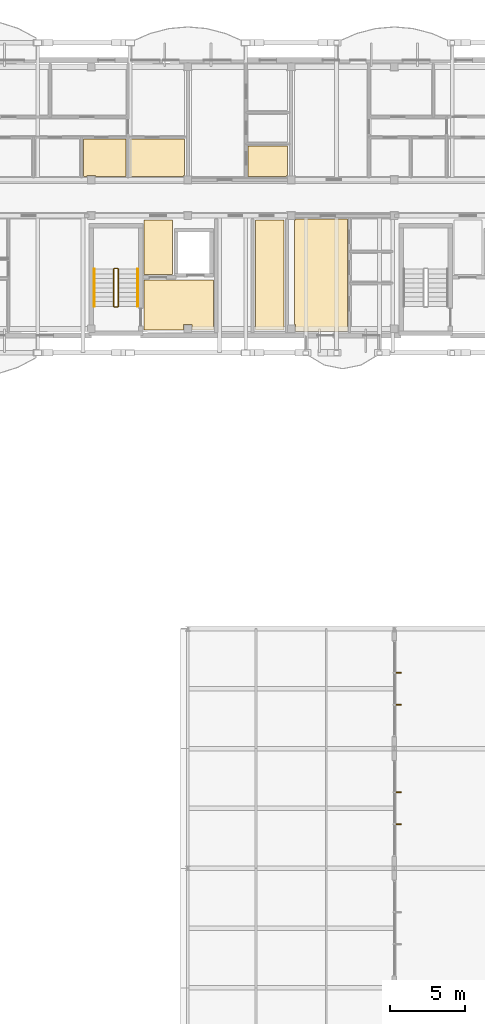
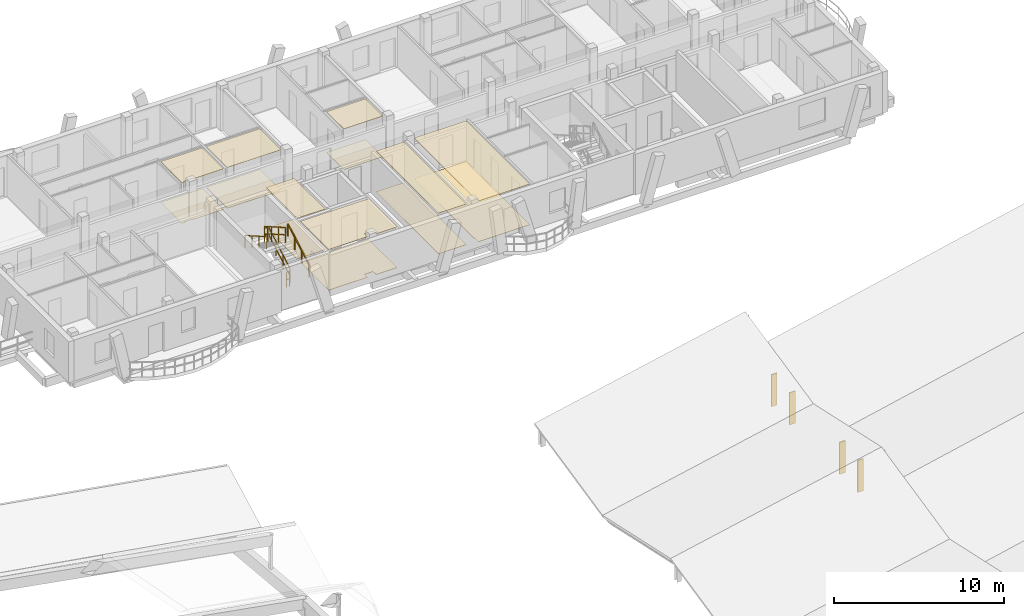
# One storey, part 105 of 109: 14 coverings, 6 railings, 4 shading devices.
"""IFC4 building model written with IfcOpenShell, lengths in metres."""

from ifc_helpers import new_model, si_unit, direction, frame, origin, origin_2d, place, context, subcontext, project, spatial, polyline, rectangle, outline, extrude, material, layer, layer_set, type_object, element, save


model = new_model("IFC4")

# Units and contexts
model_context = context("Model", 3, precision=1e-05, world=origin(), true_north=direction((0.0, 1.0)))
body_context = subcontext(model_context, "Body", "Model", "MODEL_VIEW")
ifc_project = project(units=[si_unit("LENGTHUNIT", "METRE"), si_unit("AREAUNIT", "SQUARE_METRE"), si_unit("VOLUMEUNIT", "CUBIC_METRE"), si_unit("PLANEANGLEUNIT", "RADIAN"), si_unit("MASSUNIT", "GRAM", prefix="KILO")], contexts=[model_context])

# Site, building, storey
site_placement = place(None, origin())
site = spatial("IfcSite", under=ifc_project, at=site_placement, CompositionType="ELEMENT")
building_placement = place(site_placement, origin())
building = spatial("IfcBuilding", under=site, at=building_placement, Name="Zavelmont Quarter", CompositionType="ELEMENT")
storey_placement = place(building_placement, frame((0.0, 0.0, 8.0)))
storey = spatial("IfcBuildingStorey", under=building, at=storey_placement, Name="L02", CompositionType="ELEMENT", Elevation=8.0)

# Coverings
ifc_material_1 = material(Name="Perforated acoustic gypsum board")
ifc_layer_1 = layer(ifc_material_1, 0.02490234375)
ifc_layer_set_1 = layer_set([ifc_layer_1], Name="Perforated acoustic gypsum board")
covering_type_1 = type_object("IfcCoveringType", Name="CV-CL01", PredefinedType="CEILING", material=ifc_layer_set_1)
covering_1_placement = place(storey_placement, frame((0.0, 0.0, 2.9150390625)))
element("IfcCovering", 1, at=covering_1_placement, inside=storey, type_object=covering_type_1, Name="L02 Firefighting Lobby acoustic ceiling", PredefinedType="CEILING", context=body_context, shape_type="SweptSolid", body=[
    extrude(outline(polyline([(130.580078125, 101.320068359375), (135.219970703125, 101.320068359375), (135.219970703125, 97.97998046875), (133.7900390625, 97.97998046875), (133.7900390625, 98.330078125), (133.2099609375, 98.330078125), (133.2099609375, 97.97998046875), (130.580078125, 97.97998046875), (130.580078125, 101.320068359375)])), origin(), (0.0, 0.0, 1.0), 0.02490234375),
])
covering_2_placement = place(storey_placement, frame((0.0, 0.0, 2.9150390625)))
element("IfcCovering", 2, at=covering_2_placement, inside=storey, type_object=covering_type_1, Name="L02 Lobby Vestibule acoustic ceiling", PredefinedType="CEILING", context=body_context, shape_type="SweptSolid", body=[
    extrude(outline(polyline([(130.580078125, 105.320068359375), (132.469970703125, 105.320068359375), (132.469970703125, 101.679931640625), (130.580078125, 101.679931640625), (130.580078125, 105.320068359375)])), origin(), (0.0, 0.0, 1.0), 0.02490234375),
])
covering_3_placement = place(storey_placement, frame((0.0, 0.0, 2.9150390625)))
element("IfcCovering", 3, at=covering_3_placement, inside=storey, type_object=covering_type_1, Name="L02 Cleaners Store acoustic ceiling", PredefinedType="CEILING", context=body_context, shape_type="SweptSolid", body=[
    extrude(outline(polyline([(138.030029296875, 105.320068359375), (139.919921875, 105.320068359375), (139.919921875, 97.97998046875), (138.030029296875, 97.97998046875), (138.030029296875, 105.320068359375)])), origin(), (0.0, 0.0, 1.0), 0.02490234375),
])
covering_4_placement = place(storey_placement, frame((0.0, 0.0, 2.9150390625)))
element("IfcCovering", 4, at=covering_4_placement, inside=storey, type_object=covering_type_1, Name="L02 Utility Laundry acoustic ceiling", PredefinedType="CEILING", context=body_context, shape_type="SweptSolid", body=[
    extrude(outline(polyline([(126.530029296875, 110.719970703125), (129.3701171875, 110.719970703125), (129.3701171875, 108.22998046875), (127.330078125, 108.22998046875), (127.330078125, 108.2900390625), (126.75, 108.2900390625), (126.75, 108.22998046875), (126.530029296875, 108.22998046875), (126.530029296875, 110.719970703125)])), origin(), (0.0, 0.0, 1.0), 0.02490234375),
])
covering_5_placement = place(storey_placement, frame((0.0, 0.0, 2.9150390625)))
element("IfcCovering", 5, at=covering_5_placement, inside=storey, type_object=covering_type_1, Name="L02 Kitchen acoustic ceiling", PredefinedType="CEILING", context=body_context, shape_type="SweptSolid", body=[
    extrude(outline(polyline([(137.530029296875, 110.27001953125), (140.169921875, 110.27001953125), (140.169921875, 108.2900390625), (140.110107421875, 108.2900390625), (140.110107421875, 108.22998046875), (137.530029296875, 108.22998046875), (137.530029296875, 110.27001953125)])), origin(), (0.0, 0.0, 1.0), 0.02490234375),
])
covering_6_placement = place(storey_placement, frame((0.0, 0.0, 2.9150390625)))
element("IfcCovering", 6, at=covering_6_placement, inside=storey, type_object=covering_type_1, Name="L02 Living Dining acoustic ceiling", PredefinedType="CEILING", context=body_context, shape_type="SweptSolid", body=[
    extrude(outline(polyline([(140.6298828125, 105.31005859375), (140.68994140625, 105.31005859375), (140.68994140625, 105.3701171875), (144.169921875, 105.3701171875), (144.169921875, 97.8798828125), (140.68994140625, 97.8798828125), (140.68994140625, 98.330078125), (140.6298828125, 98.330078125), (140.6298828125, 105.31005859375)])), origin(), (0.0, 0.0, 1.0), 0.02490234375),
])
ifc_material_2 = material(Name="Moisture-resistant painted gypsum ceiling")
ifc_layer_2 = layer(ifc_material_2, 0.02001953125)
ifc_layer_set_2 = layer_set([ifc_layer_2], Name="Moisture-resistant painted gypsum ceiling")
covering_type_2 = type_object("IfcCoveringType", Name="CV-CL04", PredefinedType="CEILING", material=ifc_layer_set_2)
covering_7_placement = place(storey_placement, frame((0.0, 0.0, 2.919921875)))
element("IfcCovering", 7, at=covering_7_placement, inside=storey, type_object=covering_type_2, Name="L02 Bathroom acoustic ceiling", PredefinedType="CEILING", context=body_context, shape_type="SweptSolid", body=[
    extrude(outline(polyline([(129.6298828125, 110.719970703125), (133.27001953125, 110.719970703125), (133.27001953125, 108.2900390625), (133.2099609375, 108.2900390625), (133.2099609375, 108.22998046875), (129.6298828125, 108.22998046875), (129.6298828125, 110.719970703125)])), origin(), (0.0, 0.0, 1.0), 0.02001953125),
])
ifc_material_3 = material(Name="Engineered European oak parquet")
ifc_layer_3 = layer(ifc_material_3, 0.02197265625)
ifc_layer_set_3 = layer_set([ifc_layer_3], Name="Engineered European oak parquet")
covering_type_3 = type_object("IfcCoveringType", Name="CV-FL01", PredefinedType="FLOORING", material=ifc_layer_set_3)
covering_8_placement = place(storey_placement, origin())
element("IfcCovering", 8, at=covering_8_placement, inside=storey, type_object=covering_type_3, Name="L02 Firefighting Lobby floor finish", PredefinedType="FLOORING", context=body_context, shape_type="SweptSolid", body=[
    extrude(outline(polyline([(130.580078125, 101.320068359375), (135.219970703125, 101.320068359375), (135.219970703125, 97.97998046875), (133.7900390625, 97.97998046875), (133.7900390625, 98.330078125), (133.2099609375, 98.330078125), (133.2099609375, 97.97998046875), (130.580078125, 97.97998046875), (130.580078125, 101.320068359375)])), origin(), (0.0, 0.0, 1.0), 0.02197265625),
])
covering_9_placement = place(storey_placement, origin())
element("IfcCovering", 9, at=covering_9_placement, inside=storey, type_object=covering_type_3, Name="L02 Lobby Vestibule floor finish", PredefinedType="FLOORING", context=body_context, shape_type="SweptSolid", body=[
    extrude(outline(polyline([(130.580078125, 105.320068359375), (132.469970703125, 105.320068359375), (132.469970703125, 101.679931640625), (130.580078125, 101.679931640625), (130.580078125, 105.320068359375)])), origin(), (0.0, 0.0, 1.0), 0.02197265625),
])
covering_10_placement = place(storey_placement, origin())
element("IfcCovering", 10, at=covering_10_placement, inside=storey, type_object=covering_type_3, Name="L02 Cleaners Store floor finish", PredefinedType="FLOORING", context=body_context, shape_type="SweptSolid", body=[
    extrude(outline(polyline([(138.030029296875, 105.320068359375), (139.919921875, 105.320068359375), (139.919921875, 97.97998046875), (138.030029296875, 97.97998046875), (138.030029296875, 105.320068359375)])), origin(), (0.0, 0.0, 1.0), 0.02197265625),
])
covering_11_placement = place(storey_placement, origin())
element("IfcCovering", 11, at=covering_11_placement, inside=storey, type_object=covering_type_3, Name="L02 Utility Laundry floor finish", PredefinedType="FLOORING", context=body_context, shape_type="SweptSolid", body=[
    extrude(outline(polyline([(126.530029296875, 110.719970703125), (129.3701171875, 110.719970703125), (129.3701171875, 108.22998046875), (127.330078125, 108.22998046875), (127.330078125, 108.2900390625), (126.75, 108.2900390625), (126.75, 108.22998046875), (126.530029296875, 108.22998046875), (126.530029296875, 110.719970703125)])), origin(), (0.0, 0.0, 1.0), 0.02197265625),
])
covering_12_placement = place(storey_placement, origin())
element("IfcCovering", 12, at=covering_12_placement, inside=storey, type_object=covering_type_3, Name="L02 Kitchen floor finish", PredefinedType="FLOORING", context=body_context, shape_type="SweptSolid", body=[
    extrude(outline(polyline([(137.530029296875, 110.27001953125), (140.169921875, 110.27001953125), (140.169921875, 108.2900390625), (140.110107421875, 108.2900390625), (140.110107421875, 108.22998046875), (137.530029296875, 108.22998046875), (137.530029296875, 110.27001953125)])), origin(), (0.0, 0.0, 1.0), 0.02197265625),
])
covering_13_placement = place(storey_placement, origin())
element("IfcCovering", 13, at=covering_13_placement, inside=storey, type_object=covering_type_3, Name="L02 Living Dining floor finish", PredefinedType="FLOORING", context=body_context, shape_type="SweptSolid", body=[
    extrude(outline(polyline([(140.6298828125, 105.31005859375), (140.68994140625, 105.31005859375), (140.68994140625, 105.3701171875), (144.169921875, 105.3701171875), (144.169921875, 97.8798828125), (140.68994140625, 97.8798828125), (140.68994140625, 98.330078125), (140.6298828125, 98.330078125), (140.6298828125, 105.31005859375)])), origin(), (0.0, 0.0, 1.0), 0.02197265625),
])
ifc_material_4 = material(Name="Slip-resistant porcelain tile")
ifc_layer_4 = layer(ifc_material_4, 0.02587890625)
ifc_layer_set_4 = layer_set([ifc_layer_4], Name="Slip-resistant porcelain tile")
covering_type_4 = type_object("IfcCoveringType", Name="CV-FL04", PredefinedType="FLOORING", material=ifc_layer_set_4)
covering_14_placement = place(storey_placement, origin())
element("IfcCovering", 14, at=covering_14_placement, inside=storey, type_object=covering_type_4, Name="L02 Bathroom floor finish", PredefinedType="FLOORING", context=body_context, shape_type="SweptSolid", body=[
    extrude(outline(polyline([(129.6298828125, 110.719970703125), (133.27001953125, 110.719970703125), (133.27001953125, 108.2900390625), (133.2099609375, 108.2900390625), (133.2099609375, 108.22998046875), (129.6298828125, 108.22998046875), (129.6298828125, 110.719970703125)])), origin(), (0.0, 0.0, 1.0), 0.02587890625),
])

# Railings
ifc_material_5 = material(Name="Powder-coated steel stair guardrail", Category="steel")
railing_type_1 = type_object("IfcRailingType", Name="RL-GRD1", PredefinedType="GUARDRAIL", material=ifc_material_5)
railing_1_placement = place(storey_placement, frame((128.85009765625, 99.550048828125, 0.177734375)))
element("IfcRailing", 15, at=railing_1_placement, inside=storey, type_object=railing_type_1, Name="L02 ST05 stair guardrail 1", PredefinedType="GUARDRAIL", context=body_context, shape_type="SweptSolid", body=[
    extrude(rectangle(XDim=0.048095703125, YDim=0.048095703125, at=origin_2d()), frame((0.0, 0.0, 1.076171875), z_axis=(0.0, 0.867453774394, 0.497517787913), x_axis=(-1.0, 0.0, 0.0)), (0.0, 0.0, 1.0), 2.85888671875),
    extrude(rectangle(XDim=0.048095703125, YDim=0.048095703125, at=origin_2d()), frame((0.0, 0.0, 0.550048828125), z_axis=(0.0, 0.867453774394, 0.497517787913), x_axis=(-1.0, 0.0, 0.0)), (0.0, 0.0, 1.0), 2.85888671875),
    extrude(rectangle(XDim=0.0419921875, YDim=0.0419921875, at=origin_2d()), origin(), (0.0, 0.0, 1.0), 1.052001953125),
    extrude(rectangle(XDim=0.0419921875, YDim=0.0419921875, at=origin_2d()), frame((0.0, 0.82666015625, 0.47412109375)), (0.0, 0.0, 1.0), 1.052001953125),
    extrude(rectangle(XDim=0.0419921875, YDim=0.0419921875, at=origin_2d()), frame((0.0, 1.6533203125, 0.9482421875)), (0.0, 0.0, 1.0), 1.052001953125),
    extrude(rectangle(XDim=0.0419921875, YDim=0.0419921875, at=origin_2d()), frame((0.0, 2.47998046875, 1.42236328125)), (0.0, 0.0, 1.0), 1.052001953125),
])
railing_2_placement = place(storey_placement, frame((128.800048828125, 102.080078125, 1.60009765625)))
element("IfcRailing", 16, at=railing_2_placement, inside=storey, type_object=railing_type_1, Name="L02 ST05 stair guardrail 2", PredefinedType="GUARDRAIL", context=body_context, shape_type="SweptSolid", body=[
    extrude(rectangle(XDim=0.048095703125, YDim=0.048095703125, at=origin_2d()), frame((0.0, 0.0, 1.076171875), z_axis=(-1.0, 0.0, 0.0), x_axis=(0.0, -1.0, 0.0)), (0.0, 0.0, 1.0), 0.199951171875),
    extrude(rectangle(XDim=0.048095703125, YDim=0.048095703125, at=origin_2d()), frame((0.0, 0.0, 0.550048828125), z_axis=(-1.0, 0.0, 0.0), x_axis=(0.0, -1.0, 0.0)), (0.0, 0.0, 1.0), 0.199951171875),
    extrude(rectangle(XDim=0.0419921875, YDim=0.0419921875, at=origin_2d()), origin(), (0.0, 0.0, 1.0), 1.052001953125),
    extrude(rectangle(XDim=0.0419921875, YDim=0.0419921875, at=origin_2d()), frame((-0.199951171875, 0.0, 0.0)), (0.0, 0.0, 1.0), 1.052001953125),
])
railing_3_placement = place(storey_placement, frame((128.550048828125, 102.030029296875, 1.77783203125)))
element("IfcRailing", 17, at=railing_3_placement, inside=storey, type_object=railing_type_1, Name="L02 ST05 stair guardrail 3", PredefinedType="GUARDRAIL", context=body_context, shape_type="SweptSolid", body=[
    extrude(rectangle(XDim=0.048095703125, YDim=0.048095703125, at=origin_2d()), frame((0.0, 0.0, 1.076171875), z_axis=(0.0, -0.867490628297, 0.497453525283), x_axis=(1.0, 0.0, 0.0)), (0.0, 0.0, 1.0), 2.85888671875),
    extrude(rectangle(XDim=0.048095703125, YDim=0.048095703125, at=origin_2d()), frame((0.0, 0.0, 0.550048828125), z_axis=(0.0, -0.867490628297, 0.497453525283), x_axis=(1.0, 0.0, 0.0)), (0.0, 0.0, 1.0), 2.85888671875),
    extrude(rectangle(XDim=0.0419921875, YDim=0.0419921875, at=origin_2d()), origin(), (0.0, 0.0, 1.0), 1.052001953125),
    extrude(rectangle(XDim=0.0419921875, YDim=0.0419921875, at=origin_2d()), frame((0.0, -0.82666015625, 0.47412109375)), (0.0, 0.0, 1.0), 1.052001953125),
    extrude(rectangle(XDim=0.0419921875, YDim=0.0419921875, at=origin_2d()), frame((0.0, -1.6533203125, 0.947998046875)), (0.0, 0.0, 1.0), 1.052001953125),
    extrude(rectangle(XDim=0.0419921875, YDim=0.0419921875, at=origin_2d()), frame((0.0, -2.47998046875, 1.422119140625)), (0.0, 0.0, 1.0), 1.052001953125),
])
railing_4_placement = place(storey_placement, frame((128.800048828125, 99.5, 0.0)))
element("IfcRailing", 18, at=railing_4_placement, inside=storey, type_object=railing_type_1, Name="L02 ST05 stair guardrail 4", PredefinedType="GUARDRAIL", context=body_context, shape_type="SweptSolid", body=[
    extrude(rectangle(XDim=0.048095703125, YDim=0.048095703125, at=origin_2d()), frame((0.0, 0.0, 1.076171875), z_axis=(-1.0, 0.0, 0.0), x_axis=(0.0, -1.0, 0.0)), (0.0, 0.0, 1.0), 0.199951171875),
    extrude(rectangle(XDim=0.048095703125, YDim=0.048095703125, at=origin_2d()), frame((0.0, 0.0, 0.550048828125), z_axis=(-1.0, 0.0, 0.0), x_axis=(0.0, -1.0, 0.0)), (0.0, 0.0, 1.0), 0.199951171875),
    extrude(rectangle(XDim=0.0419921875, YDim=0.0419921875, at=origin_2d()), origin(), (0.0, 0.0, 1.0), 1.052001953125),
    extrude(rectangle(XDim=0.0419921875, YDim=0.0419921875, at=origin_2d()), frame((-0.199951171875, 0.0, 0.0)), (0.0, 0.0, 1.0), 1.052001953125),
])
ifc_material_6 = material(Name="Brushed stainless-steel wall handrail", Category="steel")
railing_type_2 = type_object("IfcRailingType", Name="RL-HND1", PredefinedType="HANDRAIL", material=ifc_material_6)
railing_5_placement = place(storey_placement, frame((130.14990234375, 99.550048828125, 0.177734375)))
element("IfcRailing", 19, at=railing_5_placement, inside=storey, type_object=railing_type_2, Name="L02 ST05 stair handrail 1", PredefinedType="HANDRAIL", context=body_context, shape_type="SweptSolid", body=[
    extrude(rectangle(XDim=0.048095703125, YDim=0.048095703125, at=origin_2d()), frame((0.0, 0.0, 0.8759765625), z_axis=(0.0, 0.867453774394, 0.497517787913), x_axis=(-1.0, 0.0, 0.0)), (0.0, 0.0, 1.0), 2.85888671875),
    extrude(rectangle(XDim=0.0419921875, YDim=0.0419921875, at=origin_2d()), origin(), (0.0, 0.0, 1.0), 0.851806640625),
    extrude(rectangle(XDim=0.0419921875, YDim=0.0419921875, at=origin_2d()), frame((0.0, 0.82666015625, 0.47412109375)), (0.0, 0.0, 1.0), 0.851806640625),
    extrude(rectangle(XDim=0.0419921875, YDim=0.0419921875, at=origin_2d()), frame((0.0, 1.6533203125, 0.9482421875)), (0.0, 0.0, 1.0), 0.851806640625),
    extrude(rectangle(XDim=0.0419921875, YDim=0.0419921875, at=origin_2d()), frame((0.0, 2.47998046875, 1.42236328125)), (0.0, 0.0, 1.0), 0.851806640625),
])
railing_6_placement = place(storey_placement, frame((127.25, 102.030029296875, 1.77783203125)))
element("IfcRailing", 20, at=railing_6_placement, inside=storey, type_object=railing_type_2, Name="L02 ST05 stair handrail 2", PredefinedType="HANDRAIL", context=body_context, shape_type="SweptSolid", body=[
    extrude(rectangle(XDim=0.048095703125, YDim=0.048095703125, at=origin_2d()), frame((0.0, 0.0, 0.8759765625), z_axis=(0.0, -0.867490628297, 0.497453525283), x_axis=(1.0, 0.0, 0.0)), (0.0, 0.0, 1.0), 2.85888671875),
    extrude(rectangle(XDim=0.0419921875, YDim=0.0419921875, at=origin_2d()), origin(), (0.0, 0.0, 1.0), 0.851806640625),
    extrude(rectangle(XDim=0.0419921875, YDim=0.0419921875, at=origin_2d()), frame((0.0, -0.82666015625, 0.47412109375)), (0.0, 0.0, 1.0), 0.851806640625),
    extrude(rectangle(XDim=0.0419921875, YDim=0.0419921875, at=origin_2d()), frame((0.0, -1.6533203125, 0.947998046875)), (0.0, 0.0, 1.0), 0.851806640625),
    extrude(rectangle(XDim=0.0419921875, YDim=0.0419921875, at=origin_2d()), frame((0.0, -2.47998046875, 1.422119140625)), (0.0, 0.0, 1.0), 0.851806640625),
])

# Shading devices
ifc_material_7 = material(Name="Anodised aluminium EN AW-6063-T6", Category="aluminium")
shading_device_type = type_object("IfcShadingDeviceType", Name="SD06", PredefinedType="JALOUSIE", material=ifc_material_7)
for number, where, z_axis, x_axis, name in (
    (21, (147.56005859375, 64.933349609375, -0.31005859375), (0.0, 0.0, 1.0), (0.0, 1.0, 0.0), "L02 solar brise-soleil fin SD06"),
    (22, (147.56005859375, 67.066650390625, -0.31005859375), (0.0, 0.0, 1.0), (0.0, 1.0, 0.0), "L02 solar brise-soleil fin SD06"),
    (23, (147.56005859375, 72.933349609375, -0.31005859375), (0.0, 0.0, 1.0), (0.0, 1.0, 0.0), "L02 solar brise-soleil fin SD06"),
    (24, (147.56005859375, 75.066650390625, -0.31005859375), (0.0, 0.0, 1.0), (0.0, 1.0, 0.0), "L02 solar brise-soleil fin SD06"),
):
    element("IfcShadingDevice", number, at=place(storey_placement, frame(where, z_axis=z_axis, x_axis=x_axis)), inside=storey, type_object=shading_device_type, Name=name, PredefinedType="JALOUSIE", context=body_context, shape_type="SweptSolid", body=[
        extrude(rectangle(XDim=0.070068359375, YDim=0.3798828125, at=origin_2d()), origin(), (0.0, 0.0, 1.0), 2.300048828125),
    ])

save(model, "model.ifc")
